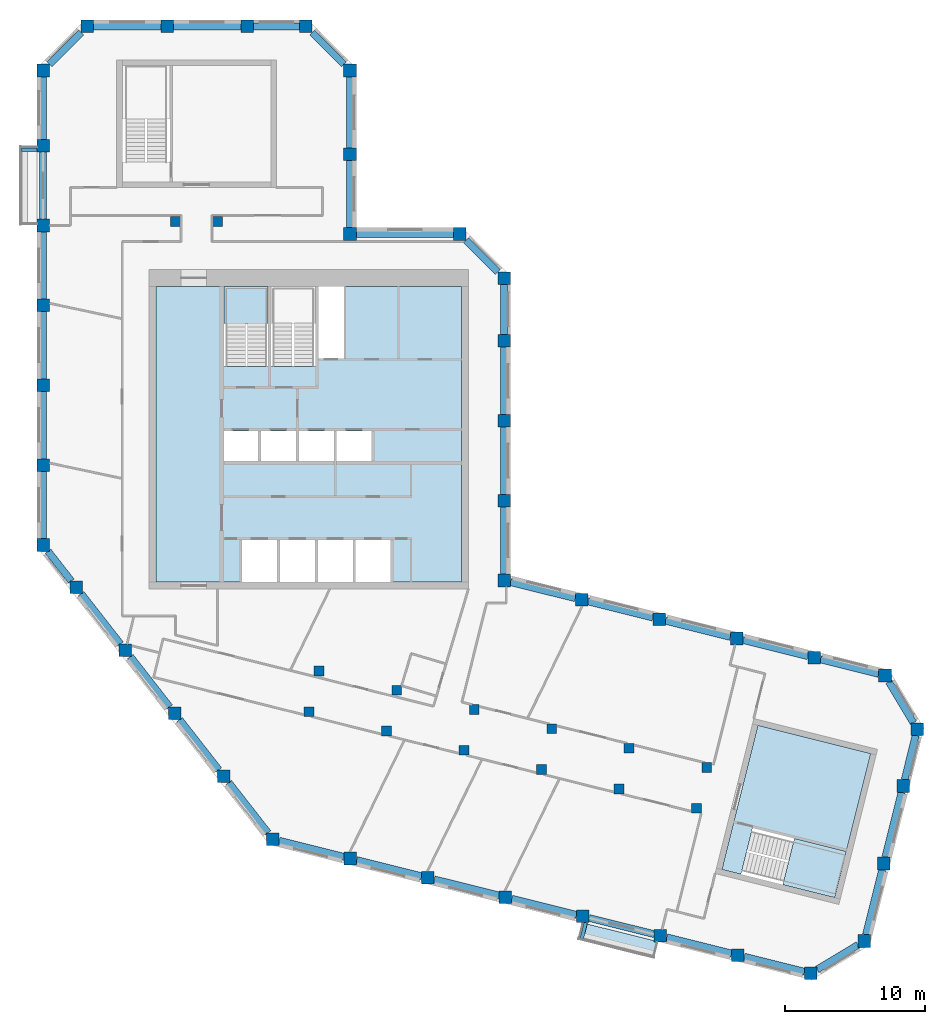
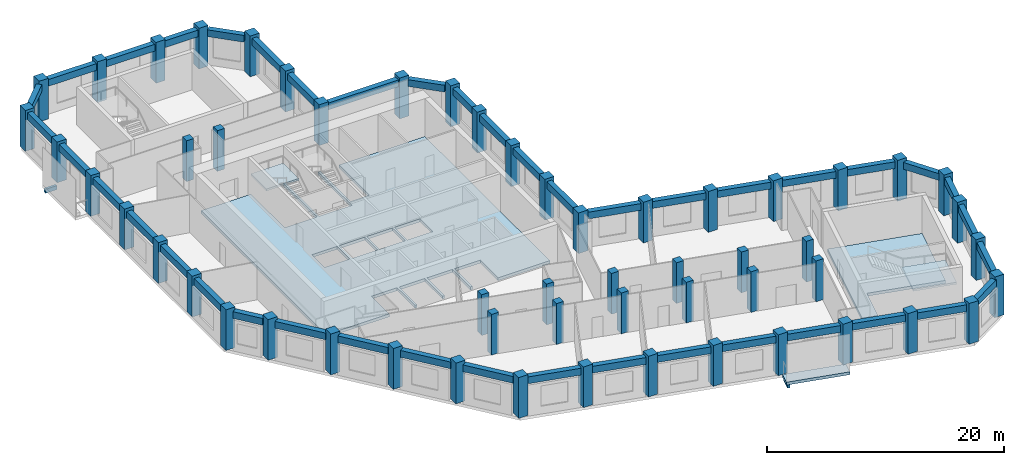
# One storey, part 1 of 8: 55 columns, 43 beams, 5 slabs, 2 elements without a shape of their own.
"""IFC4 building model written with IfcOpenShell, lengths in metres."""

from ifc_helpers import new_model, si_unit, direction, frame, origin, origin_2d, place, context, subcontext, project, spatial, polyline, rectangle, outline, extrude, material, layer, layer_set, material_profile, profile_set, type_object, element, aggregate, save


model = new_model("IFC4")

# Units and contexts
model_context = context("Model", 3, precision=1e-05, world=origin(), true_north=direction((0.0, 1.0)))
body_context = subcontext(model_context, "Body", "Model", "MODEL_VIEW")
ifc_project = project(units=[si_unit("LENGTHUNIT", "METRE"), si_unit("AREAUNIT", "SQUARE_METRE"), si_unit("VOLUMEUNIT", "CUBIC_METRE"), si_unit("PLANEANGLEUNIT", "RADIAN"), si_unit("MASSUNIT", "GRAM", prefix="KILO")], contexts=[model_context])

# Site, building, storey
site_placement = place(None, origin())
site = spatial("IfcSite", under=ifc_project, at=site_placement, CompositionType="ELEMENT")
building_placement = place(site_placement, origin())
building = spatial("IfcBuilding", under=site, at=building_placement, Name="Meshkara Civic Tower", CompositionType="ELEMENT")
storey_placement = place(building_placement, frame((0.0, 0.0, 366.60009765625)))
storey = spatial("IfcBuildingStorey", under=building, at=storey_placement, Name="L84", CompositionType="ELEMENT", Elevation=366.60009765625)

# Columns
ifc_material_1 = material(Name="Concrete C50", Category="concrete")
ifc_material_profile_1 = material_profile(ifc_material_1, rectangle(XDim=0.699951171875, YDim=0.699951171875, at=origin_2d()))
ifc_profile_set_1 = profile_set([ifc_material_profile_1], Name="Concrete C50")
column_type_1 = type_object("IfcColumnType", Name="Interior column RC 700x700 C50", PredefinedType="COLUMN", material=ifc_profile_set_1)
for number, where, z_axis, x_axis, name in (
    (1, (9.89990234375, 40.35009765625, 0.0), (0.0, 0.0, 1.0), (1.0, 0.0, 0.0), "Column SA1-04 L84"),
    (2, (12.89990234375, 40.35009765625, 0.0), (0.0, 0.0, 1.0), (1.0, 0.0, 0.0), "Column SA2-04 L84"),
    (3, (19.424072265625, 5.360107421875, 0.0), (0.0, 0.0, 1.0), (1.0, 0.0, 0.0), "Column SB1-00 L84"),
    (4, (24.9541015625, 3.98095703125, 0.0), (0.0, 0.0, 1.0), (1.0, 0.0, 0.0), "Column SB1-01 L84"),
    (5, (30.485107421875, 2.60205078125, 0.0), (0.0, 0.0, 1.0), (1.0, 0.0, 0.0), "Column SB1-02 L84"),
    (6, (36.01611328125, 1.222900390625, 0.0), (0.0, 0.0, 1.0), (1.0, 0.0, 0.0), "Column SB1-03 L84"),
    (7, (41.5458984375, -0.156005859375, 0.0), (0.0, 0.0, 1.0), (1.0, 0.0, 0.0), "Column SB1-04 L84"),
    (8, (47.076904296875, -1.534912109375, 0.0), (0.0, 0.0, 1.0), (1.0, 0.0, 0.0), "Column SB1-05 L84"),
    (9, (20.14892578125, 8.27099609375, 0.0), (0.0, 0.0, 1.0), (1.0, 0.0, 0.0), "Column SB2-00 L84"),
    (10, (25.679931640625, 6.89208984375, 0.0), (0.0, 0.0, 1.0), (1.0, 0.0, 0.0), "Column SB2-01 L84"),
    (11, (31.2109375, 5.512939453125, 0.0), (0.0, 0.0, 1.0), (1.0, 0.0, 0.0), "Column SB2-02 L84"),
    (12, (36.741943359375, 4.134033203125, 0.0), (0.0, 0.0, 1.0), (1.0, 0.0, 0.0), "Column SB2-03 L84"),
    (13, (42.27197265625, 2.7548828125, 0.0), (0.0, 0.0, 1.0), (1.0, 0.0, 0.0), "Column SB2-04 L84"),
    (14, (47.802978515625, 1.3759765625, 0.0), (0.0, 0.0, 1.0), (1.0, 0.0, 0.0), "Column SB2-05 L84"),
):
    element("IfcColumn", number, at=place(storey_placement, frame(where, z_axis=z_axis, x_axis=x_axis)), inside=storey, type_object=column_type_1, Name=name, PredefinedType="COLUMN", context=body_context, shape_type="SweptSolid", body=[
        extrude(rectangle(XDim=0.699951171875, YDim=0.699951171875, at=origin_2d()), origin(), (0.0, 0.0, 1.0), 4.199951171875),
    ])
ifc_material_2 = material(Name="Concrete C50", Category="concrete")
ifc_material_profile_2 = material_profile(ifc_material_2, rectangle(XDim=0.89990234375, YDim=0.89990234375, at=origin_2d()))
ifc_profile_set_2 = profile_set([ifc_material_profile_2], Name="Concrete C50")
column_type_2 = type_object("IfcColumnType", Name="Perimeter column RC 900x900 C50", PredefinedType="COLUMN", material=ifc_profile_set_2)
for number, where, z_axis, x_axis, name in (
    (15, (33.35009765625, 14.718994140625, 0.0), (0.0, 0.0, 1.0), (1.0, 0.0, 0.0), "Column HE00 L84"),
    (16, (33.35009765625, 20.4189453125, 0.0), (0.0, 0.0, 1.0), (1.0, 0.0, 0.0), "Column HE01 L84"),
    (17, (33.35009765625, 26.118896484375, 0.0), (0.0, 0.0, 1.0), (1.0, 0.0, 0.0), "Column HE02 L84"),
    (18, (33.35009765625, 31.819091796875, 0.0), (0.0, 0.0, 1.0), (1.0, 0.0, 0.0), "Column HE03 L84"),
    (19, (33.35009765625, 36.2939453125, 0.0), (0.0, 0.0, 1.0), (1.0, 0.0, 0.0), "Column HEE L84"),
    (20, (30.194091796875, 39.449951171875, 0.0), (0.0, 0.0, 1.0), (1.0, 0.0, 0.0), "Column HCeE L84"),
    (21, (22.35009765625, 39.449951171875, 0.0), (0.0, 0.0, 1.0), (1.0, 0.0, 0.0), "Column HN00 L84"),
    (22, (22.35009765625, 45.14990234375, 0.0), (0.0, 0.0, 1.0), (1.0, 0.0, 0.0), "Column AE01 L84"),
    (23, (22.35009765625, 51.114013671875, 0.0), (0.0, 0.0, 1.0), (1.0, 0.0, 0.0), "Column AEEP5 L84"),
    (24, (19.194091796875, 54.27001953125, 0.0), (0.0, 0.0, 1.0), (1.0, 0.0, 0.0), "Column ATiEP5 L84"),
    (25, (3.60595703125, 54.27001953125, 0.0), (0.0, 0.0, 1.0), (1.0, 0.0, 0.0), "Column AT00-P5 L84"),
    (26, (9.305908203125, 54.27001953125, 0.0), (0.0, 0.0, 1.0), (1.0, 0.0, 0.0), "Column AT01-P5 L84"),
    (27, (15.006103515625, 54.27001953125, 0.0), (0.0, 0.0, 1.0), (1.0, 0.0, 0.0), "Column AT02-P5 L84"),
    (28, (0.449951171875, 51.114013671875, 0.0), (0.0, 0.0, 1.0), (1.0, 0.0, 0.0), "Column ATo00-P5 L84"),
    (29, (0.449951171875, 17.2548828125, 0.0), (0.0, 0.0, 1.0), (1.0, 0.0, 0.0), "Column AW00 L84"),
    (30, (0.449951171875, 22.955078125, 0.0), (0.0, 0.0, 1.0), (1.0, 0.0, 0.0), "Column AW01 L84"),
    (31, (0.449951171875, 28.655029296875, 0.0), (0.0, 0.0, 1.0), (1.0, 0.0, 0.0), "Column AW02 L84"),
    (32, (0.449951171875, 34.35498046875, 0.0), (0.0, 0.0, 1.0), (1.0, 0.0, 0.0), "Column AW03 L84"),
    (33, (0.449951171875, 40.054931640625, 0.0), (0.0, 0.0, 1.0), (1.0, 0.0, 0.0), "Column AW04 L84"),
    (34, (0.449951171875, 45.7548828125, 0.0), (0.0, 0.0, 1.0), (1.0, 0.0, 0.0), "Column AW05 L84"),
    (35, (16.85107421875, -3.738037109375, 0.0), (0.0, 0.0, 1.0), (1.0, 0.0, 0.0), "Column BOW00 L84"),
    (36, (13.342041015625, 0.75390625, 0.0), (0.0, 0.0, 1.0), (1.0, 0.0, 0.0), "Column BOW01 L84"),
    (37, (9.8330078125, 5.2451171875, 0.0), (0.0, 0.0, 1.0), (1.0, 0.0, 0.0), "Column BOW02 L84"),
    (38, (6.322998046875, 9.737060546875, 0.0), (0.0, 0.0, 1.0), (1.0, 0.0, 0.0), "Column BOW03 L84"),
    (39, (2.81396484375, 14.22900390625, 0.0), (0.0, 0.0, 1.0), (1.0, 0.0, 0.0), "Column BOW04 L84"),
    (40, (22.382080078125, -5.116943359375, 0.0), (0.0, 0.0, 1.0), (1.0, 0.0, 0.0), "Column BS01 L84"),
    (41, (27.912109375, -6.49609375, 0.0), (0.0, 0.0, 1.0), (1.0, 0.0, 0.0), "Column BS02 L84"),
    (42, (33.443115234375, -7.875, 0.0), (0.0, 0.0, 1.0), (1.0, 0.0, 0.0), "Column BS03 L84"),
    (43, (38.97412109375, -9.25390625, 0.0), (0.0, 0.0, 1.0), (1.0, 0.0, 0.0), "Column BS04 L84"),
    (44, (44.50390625, -10.633056640625, 0.0), (0.0, 0.0, 1.0), (1.0, 0.0, 0.0), "Column BS05-P4 L84"),
    (45, (50.034912109375, -12.011962890625, 0.0), (0.0, 0.0, 1.0), (1.0, 0.0, 0.0), "Column BS06-P4 L84"),
    (46, (55.235107421875, -13.30810546875, 0.0), (0.0, 0.0, 1.0), (1.0, 0.0, 0.0), "Column BSEP5 L84"),
    (47, (59.06103515625, -11.009033203125, 0.0), (0.0, 0.0, 1.0), (1.0, 0.0, 0.0), "Column BToEP5 L84"),
    (48, (60.43994140625, -5.47802734375, 0.0), (0.0, 0.0, 1.0), (1.0, 0.0, 0.0), "Column BT01-P5 L84"),
    (49, (61.819091796875, 0.052001953125, 0.0), (0.0, 0.0, 1.0), (1.0, 0.0, 0.0), "Column BT02-P5 L84"),
    (50, (62.83203125, 4.114990234375, 0.0), (0.0, 0.0, 1.0), (1.0, 0.0, 0.0), "Column BTEP5 L84"),
    (51, (60.532958984375, 7.94091796875, 0.0), (0.0, 0.0, 1.0), (1.0, 0.0, 0.0), "Column BTi00-P5 L84"),
    (52, (38.881103515625, 13.340087890625, 0.0), (0.0, 0.0, 1.0), (1.0, 0.0, 0.0), "Column BN01 L84"),
    (53, (44.410888671875, 11.9609375, 0.0), (0.0, 0.0, 1.0), (1.0, 0.0, 0.0), "Column BN02 L84"),
    (54, (49.94189453125, 10.58203125, 0.0), (0.0, 0.0, 1.0), (1.0, 0.0, 0.0), "Column BN03 L84"),
    (55, (55.472900390625, 9.202880859375, 0.0), (0.0, 0.0, 1.0), (1.0, 0.0, 0.0), "Column BN04 L84"),
):
    element("IfcColumn", number, at=place(storey_placement, frame(where, z_axis=z_axis, x_axis=x_axis)), inside=storey, type_object=column_type_2, Name=name, PredefinedType="COLUMN", context=body_context, shape_type="SweptSolid", body=[
        extrude(rectangle(XDim=0.89990234375, YDim=0.89990234375, at=origin_2d()), origin(), (0.0, 0.0, 1.0), 4.199951171875),
    ])

# Beams
ifc_material_3 = material(Name="Concrete C50", Category="concrete")
ifc_material_profile_3 = material_profile(ifc_material_3, rectangle(XDim=0.25, YDim=0.39990234375, at=origin_2d()))
ifc_profile_set_3 = profile_set([ifc_material_profile_3], Name="Concrete C50")
beam_type_1 = type_object("IfcBeamType", Name="Balcony bracket beam RC 250x400 C50", PredefinedType="BEAM", material=ifc_profile_set_3)
beam_1_placement = place(storey_placement, frame((0.0048828125, 45.455078125, -0.5), z_axis=(-1.0, 0.0, 0.0), x_axis=(0.0, -1.0, 0.0)))
element("IfcBeam", 56, at=beam_1_placement, inside=storey, type_object=beam_type_1, Name="Balcony bracket beam", PredefinedType="BEAM", context=body_context, shape_type="SweptSolid", body=[
    extrude(rectangle(XDim=0.25, YDim=0.39990234375, at=origin_2d()), origin(), (0.0, 0.0, 1.0), 1.10498046875),
])
beam_2_placement = place(storey_placement, frame((39.172119140625, -9.698974609375, -0.5), z_axis=(-0.24209211729, -0.970253269382, 0.0), x_axis=(0.970253269382, -0.24209211729, 0.0)))
element("IfcBeam", 57, at=beam_2_placement, inside=storey, type_object=beam_type_1, Name="Balcony bracket beam", PredefinedType="BEAM", context=body_context, shape_type="SweptSolid", body=[
    extrude(rectangle(XDim=0.25, YDim=0.39990234375, at=origin_2d()), origin(), (0.0, 0.0, 1.0), 1.165771484375),
])
ifc_material_4 = material(Name="Concrete C50", Category="concrete")
ifc_material_profile_4 = material_profile(ifc_material_4, rectangle(XDim=0.5, YDim=0.699951171875, at=origin_2d()))
ifc_profile_set_4 = profile_set([ifc_material_profile_4], Name="Concrete C50")
beam_type_2 = type_object("IfcBeamType", Name="Spandrel beam RC 500x700 C50", PredefinedType="BEAM", material=ifc_profile_set_4)
for number, where, z_axis, x_axis, name in (
    (58, (55.02783203125, 9.31396484375, 3.5498046875), (-0.970298442389, 0.241911001604, 0.0), (-0.241911001604, -0.970298442389, 0.0), "Spandrel beam BN03-BN04"),
    (59, (49.496826171875, 10.693115234375, 3.5498046875), (-0.970298442389, 0.241911001604, 0.0), (-0.241911001604, -0.970298442389, 0.0), "Spandrel beam BN02-BN03"),
):
    element("IfcBeam", number, at=place(storey_placement, frame(where, z_axis=z_axis, x_axis=x_axis)), inside=storey, type_object=beam_type_2, Name=name, PredefinedType="BEAM", context=body_context, shape_type="SweptSolid", body=[
        extrude(rectangle(XDim=0.5, YDim=0.699951171875, at=origin_2d()), origin(), (0.0, 0.0, 1.0), 4.78271484375),
    ])
beam_3_placement = place(storey_placement, frame((43.9658203125, 12.072021484375, 3.5498046875), z_axis=(-0.970286489601, 0.241958938867, 0.0), x_axis=(-0.241958938867, -0.970286489601, 0.0)))
element("IfcBeam", 60, at=beam_3_placement, inside=storey, type_object=beam_type_2, Name="Spandrel beam BN01-BN02", PredefinedType="BEAM", context=body_context, shape_type="SweptSolid", body=[
    extrude(rectangle(XDim=0.5, YDim=0.699951171875, at=origin_2d()), origin(), (0.0, 0.0, 1.0), 4.78173828125),
])
beam_4_placement = place(storey_placement, frame((38.435791015625, 13.450927734375, 3.5498046875), z_axis=(-0.970298442389, 0.241911001604, 0.0), x_axis=(-0.241911001604, -0.970298442389, 0.0)))
element("IfcBeam", 61, at=beam_4_placement, inside=storey, type_object=beam_type_2, Name="Spandrel beam BN01-HE00", PredefinedType="BEAM", context=body_context, shape_type="SweptSolid", body=[
    extrude(rectangle(XDim=0.5, YDim=0.699951171875, at=origin_2d()), origin(), (0.0, 0.0, 1.0), 4.78271484375),
])
for number, where, z_axis, x_axis, name in (
    (62, (33.35009765625, 15.1640625, 3.5498046875), (0.0, 1.0, 0.0), (-1.0, 0.0, 0.0), "Spandrel beam HE00-HE01"),
    (63, (33.35009765625, 20.864013671875, 3.5498046875), (0.0, 1.0, 0.0), (-1.0, 0.0, 0.0), "Spandrel beam HE01-HE02"),
    (64, (33.35009765625, 26.56396484375, 3.5498046875), (0.0, 1.0, 0.0), (-1.0, 0.0, 0.0), "Spandrel beam HE02-HE03"),
):
    element("IfcBeam", number, at=place(storey_placement, frame(where, z_axis=z_axis, x_axis=x_axis)), inside=storey, type_object=beam_type_2, Name=name, PredefinedType="BEAM", context=body_context, shape_type="SweptSolid", body=[
        extrude(rectangle(XDim=0.5, YDim=0.699951171875, at=origin_2d()), origin(), (0.0, 0.0, 1.0), 4.81005859375),
    ])
beam_5_placement = place(storey_placement, frame((33.35009765625, 32.263916015625, 3.5498046875), z_axis=(0.0, 1.0, 0.0), x_axis=(-1.0, 0.0, 0.0)))
element("IfcBeam", 65, at=beam_5_placement, inside=storey, type_object=beam_type_2, Name="Spandrel beam HE03-HEE", PredefinedType="BEAM", context=body_context, shape_type="SweptSolid", body=[
    extrude(rectangle(XDim=0.5, YDim=0.699951171875, at=origin_2d()), origin(), (0.0, 0.0, 1.0), 3.585205078125),
])
beam_6_placement = place(storey_placement, frame((32.903564453125, 36.740478515625, 3.5498046875), z_axis=(-0.707144921739, 0.707068638576, 0.0), x_axis=(-0.707068638576, -0.707144921739, 0.0)))
element("IfcBeam", 66, at=beam_6_placement, inside=storey, type_object=beam_type_2, Name="Spandrel beam HCeE-HEE", PredefinedType="BEAM", context=body_context, shape_type="SweptSolid", body=[
    extrude(rectangle(XDim=0.5, YDim=0.699951171875, at=origin_2d()), origin(), (0.0, 0.0, 1.0), 3.200439453125),
])
beam_7_placement = place(storey_placement, frame((29.7490234375, 39.449951171875, 3.5498046875), z_axis=(-1.0, 0.0, 0.0), x_axis=(0.0, -1.0, 0.0)))
element("IfcBeam", 67, at=beam_7_placement, inside=storey, type_object=beam_type_2, Name="Spandrel beam HCeE-HN00", PredefinedType="BEAM", context=body_context, shape_type="SweptSolid", body=[
    extrude(rectangle(XDim=0.5, YDim=0.699951171875, at=origin_2d()), origin(), (0.0, 0.0, 1.0), 6.9541015625),
])
beam_8_placement = place(storey_placement, frame((22.35009765625, 39.89501953125, 3.5498046875), z_axis=(0.0, 1.0, 0.0), x_axis=(-1.0, 0.0, 0.0)))
element("IfcBeam", 68, at=beam_8_placement, inside=storey, type_object=beam_type_2, Name="Spandrel beam AE01-HN00", PredefinedType="BEAM", context=body_context, shape_type="SweptSolid", body=[
    extrude(rectangle(XDim=0.5, YDim=0.699951171875, at=origin_2d()), origin(), (0.0, 0.0, 1.0), 4.81005859375),
])
beam_9_placement = place(storey_placement, frame((22.35009765625, 45.594970703125, 3.5498046875), z_axis=(0.0, 1.0, 0.0), x_axis=(-1.0, 0.0, 0.0)))
element("IfcBeam", 69, at=beam_9_placement, inside=storey, type_object=beam_type_2, Name="Spandrel beam AE01-AEEP5", PredefinedType="BEAM", context=body_context, shape_type="SweptSolid", body=[
    extrude(rectangle(XDim=0.5, YDim=0.699951171875, at=origin_2d()), origin(), (0.0, 0.0, 1.0), 5.073974609375),
])
beam_10_placement = place(storey_placement, frame((21.903564453125, 51.560546875, 3.5498046875), z_axis=(-0.707144921739, 0.707068638576, 0.0), x_axis=(-0.707068638576, -0.707144921739, 0.0)))
element("IfcBeam", 70, at=beam_10_placement, inside=storey, type_object=beam_type_2, Name="Spandrel beam AEEP5-ATiEP5", PredefinedType="BEAM", context=body_context, shape_type="SweptSolid", body=[
    extrude(rectangle(XDim=0.5, YDim=0.699951171875, at=origin_2d()), origin(), (0.0, 0.0, 1.0), 3.200439453125),
])
beam_11_placement = place(storey_placement, frame((18.7490234375, 54.27001953125, 3.5498046875), z_axis=(-1.0, 0.0, 0.0), x_axis=(0.0, -1.0, 0.0)))
element("IfcBeam", 71, at=beam_11_placement, inside=storey, type_object=beam_type_2, Name="Spandrel beam AT02-P5-ATiEP5", PredefinedType="BEAM", context=body_context, shape_type="SweptSolid", body=[
    extrude(rectangle(XDim=0.5, YDim=0.699951171875, at=origin_2d()), origin(), (0.0, 0.0, 1.0), 3.298095703125),
])
for number, where, z_axis, x_axis, name in (
    (72, (14.56103515625, 54.27001953125, 3.5498046875), (-1.0, 0.0, 0.0), (0.0, -1.0, 0.0), "Spandrel beam AT01-P5-AT02-P5"),
    (73, (8.861083984375, 54.27001953125, 3.5498046875), (-1.0, 0.0, 0.0), (0.0, -1.0, 0.0), "Spandrel beam AT00-P5-AT01-P5"),
):
    element("IfcBeam", number, at=place(storey_placement, frame(where, z_axis=z_axis, x_axis=x_axis)), inside=storey, type_object=beam_type_2, Name=name, PredefinedType="BEAM", context=body_context, shape_type="SweptSolid", body=[
        extrude(rectangle(XDim=0.5, YDim=0.699951171875, at=origin_2d()), origin(), (0.0, 0.0, 1.0), 4.81005859375),
    ])
beam_12_placement = place(storey_placement, frame((3.159423828125, 53.823486328125, 3.5498046875), z_axis=(-0.707106781187, -0.707106781187, 0.0), x_axis=(0.707106781187, -0.707106781187, 0.0)))
element("IfcBeam", 74, at=beam_12_placement, inside=storey, type_object=beam_type_2, Name="Spandrel beam AT00-P5-ATo00-P5", PredefinedType="BEAM", context=body_context, shape_type="SweptSolid", body=[
    extrude(rectangle(XDim=0.5, YDim=0.699951171875, at=origin_2d()), origin(), (0.0, 0.0, 1.0), 3.2001953125),
])
beam_13_placement = place(storey_placement, frame((0.449951171875, 50.6689453125, 3.5498046875), z_axis=(0.0, -1.0, 0.0), x_axis=(1.0, 0.0, 0.0)))
element("IfcBeam", 75, at=beam_13_placement, inside=storey, type_object=beam_type_2, Name="Spandrel beam ATo00-P5-AW05", PredefinedType="BEAM", context=body_context, shape_type="SweptSolid", body=[
    extrude(rectangle(XDim=0.5, YDim=0.699951171875, at=origin_2d()), origin(), (0.0, 0.0, 1.0), 4.468994140625),
])
for number, where, z_axis, x_axis, name in (
    (76, (0.449951171875, 45.31005859375, 3.5498046875), (0.0, -1.0, 0.0), (1.0, 0.0, 0.0), "Spandrel beam AW04-AW05"),
    (77, (0.449951171875, 39.610107421875, 3.5498046875), (0.0, -1.0, 0.0), (1.0, 0.0, 0.0), "Spandrel beam AW03-AW04"),
):
    element("IfcBeam", number, at=place(storey_placement, frame(where, z_axis=z_axis, x_axis=x_axis)), inside=storey, type_object=beam_type_2, Name=name, PredefinedType="BEAM", context=body_context, shape_type="SweptSolid", body=[
        extrude(rectangle(XDim=0.5, YDim=0.699951171875, at=origin_2d()), origin(), (0.0, 0.0, 1.0), 4.81005859375),
    ])
beam_14_placement = place(storey_placement, frame((0.449951171875, 33.909912109375, 3.5498046875), z_axis=(0.0, -1.0, 0.0), x_axis=(1.0, 0.0, 0.0)))
element("IfcBeam", 78, at=beam_14_placement, inside=storey, type_object=beam_type_2, Name="Spandrel beam AW02-AW03", PredefinedType="BEAM", context=body_context, shape_type="SweptSolid", body=[
    extrude(rectangle(XDim=0.5, YDim=0.699951171875, at=origin_2d()), origin(), (0.0, 0.0, 1.0), 4.809814453125),
])
for number, where, z_axis, x_axis, name in (
    (79, (0.449951171875, 28.2099609375, 3.5498046875), (0.0, -1.0, 0.0), (1.0, 0.0, 0.0), "Spandrel beam AW01-AW02"),
    (80, (0.449951171875, 22.510009765625, 3.5498046875), (0.0, -1.0, 0.0), (1.0, 0.0, 0.0), "Spandrel beam AW00-AW01"),
):
    element("IfcBeam", number, at=place(storey_placement, frame(where, z_axis=z_axis, x_axis=x_axis)), inside=storey, type_object=beam_type_2, Name=name, PredefinedType="BEAM", context=body_context, shape_type="SweptSolid", body=[
        extrude(rectangle(XDim=0.5, YDim=0.699951171875, at=origin_2d()), origin(), (0.0, 0.0, 1.0), 4.81005859375),
    ])
beam_15_placement = place(storey_placement, frame((0.798583984375, 16.808837890625, 3.5498046875), z_axis=(0.615637043197, -0.788029841468, 0.0), x_axis=(0.788029841468, 0.615637043197, 0.0)))
element("IfcBeam", 81, at=beam_15_placement, inside=storey, type_object=beam_type_2, Name="Spandrel beam AW00-BOW04", PredefinedType="BEAM", context=body_context, shape_type="SweptSolid", body=[
    extrude(rectangle(XDim=0.5, YDim=0.699951171875, at=origin_2d()), origin(), (0.0, 0.0, 1.0), 2.707763671875),
])
beam_16_placement = place(storey_placement, frame((3.162353515625, 13.782958984375, 3.5498046875), z_axis=(0.615626410665, -0.788038147865, 0.0), x_axis=(0.788038147865, 0.615626410665, 0.0)))
element("IfcBeam", 82, at=beam_16_placement, inside=storey, type_object=beam_type_2, Name="Spandrel beam BOW03-BOW04", PredefinedType="BEAM", context=body_context, shape_type="SweptSolid", body=[
    extrude(rectangle(XDim=0.5, YDim=0.699951171875, at=origin_2d()), origin(), (0.0, 0.0, 1.0), 4.568115234375),
])
beam_17_placement = place(storey_placement, frame((6.67138671875, 9.291015625, 3.5498046875), z_axis=(0.615759141311, -0.787934438829, 0.0), x_axis=(0.787934438829, 0.615759141311, 0.0)))
element("IfcBeam", 83, at=beam_17_placement, inside=storey, type_object=beam_type_2, Name="Spandrel beam BOW02-BOW03", PredefinedType="BEAM", context=body_context, shape_type="SweptSolid", body=[
    extrude(rectangle(XDim=0.5, YDim=0.699951171875, at=origin_2d()), origin(), (0.0, 0.0, 1.0), 4.568603515625),
])
beam_18_placement = place(storey_placement, frame((10.181396484375, 4.798828125, 3.5498046875), z_axis=(0.615722879711, -0.78796277539, 0.0), x_axis=(0.78796277539, 0.615722879711, 0.0)))
element("IfcBeam", 84, at=beam_18_placement, inside=storey, type_object=beam_type_2, Name="Spandrel beam BOW01-BOW02", PredefinedType="BEAM", context=body_context, shape_type="SweptSolid", body=[
    extrude(rectangle(XDim=0.5, YDim=0.699951171875, at=origin_2d()), origin(), (0.0, 0.0, 1.0), 4.56689453125),
])
beam_19_placement = place(storey_placement, frame((13.6904296875, 0.307861328125, 3.5498046875), z_axis=(0.615626410665, -0.788038147865, 0.0), x_axis=(0.788038147865, 0.615626410665, 0.0)))
element("IfcBeam", 85, at=beam_19_placement, inside=storey, type_object=beam_type_2, Name="Spandrel beam BOW00-BOW01", PredefinedType="BEAM", context=body_context, shape_type="SweptSolid", body=[
    extrude(rectangle(XDim=0.5, YDim=0.699951171875, at=origin_2d()), origin(), (0.0, 0.0, 1.0), 4.568115234375),
])
beam_20_placement = place(storey_placement, frame((17.296142578125, -3.84912109375, 3.5498046875), z_axis=(0.970301429476, -0.241899020164, 0.0), x_axis=(0.241899020164, 0.970301429476, 0.0)))
element("IfcBeam", 86, at=beam_20_placement, inside=storey, type_object=beam_type_2, Name="Spandrel beam BOW00-BS01", PredefinedType="BEAM", context=body_context, shape_type="SweptSolid", body=[
    extrude(rectangle(XDim=0.5, YDim=0.699951171875, at=origin_2d()), origin(), (0.0, 0.0, 1.0), 4.782958984375),
])
beam_21_placement = place(storey_placement, frame((22.8271484375, -5.22802734375, 3.5498046875), z_axis=(0.970286489601, -0.241958938867, 0.0), x_axis=(0.241958938867, 0.970286489601, 0.0)))
element("IfcBeam", 87, at=beam_21_placement, inside=storey, type_object=beam_type_2, Name="Spandrel beam BS01-BS02", PredefinedType="BEAM", context=body_context, shape_type="SweptSolid", body=[
    extrude(rectangle(XDim=0.5, YDim=0.699951171875, at=origin_2d()), origin(), (0.0, 0.0, 1.0), 4.78173828125),
])
for number, where, z_axis, x_axis, name in (
    (88, (28.357177734375, -6.60693359375, 3.5498046875), (0.970298442389, -0.241911001604, 0.0), (0.241911001604, 0.970298442389, 0.0), "Spandrel beam BS02-BS03"),
    (89, (33.88818359375, -7.986083984375, 3.5498046875), (0.970298442389, -0.241911001604, 0.0), (0.241911001604, 0.970298442389, 0.0), "Spandrel beam BS03-BS04"),
):
    element("IfcBeam", number, at=place(storey_placement, frame(where, z_axis=z_axis, x_axis=x_axis)), inside=storey, type_object=beam_type_2, Name=name, PredefinedType="BEAM", context=body_context, shape_type="SweptSolid", body=[
        extrude(rectangle(XDim=0.5, YDim=0.699951171875, at=origin_2d()), origin(), (0.0, 0.0, 1.0), 4.78271484375),
    ])
beam_22_placement = place(storey_placement, frame((39.419189453125, -9.364990234375, 3.5498046875), z_axis=(0.970286489601, -0.241958938867, 0.0), x_axis=(0.241958938867, 0.970286489601, 0.0)))
element("IfcBeam", 90, at=beam_22_placement, inside=storey, type_object=beam_type_2, Name="Spandrel beam BS04-BS05-P4", PredefinedType="BEAM", context=body_context, shape_type="SweptSolid", body=[
    extrude(rectangle(XDim=0.5, YDim=0.699951171875, at=origin_2d()), origin(), (0.0, 0.0, 1.0), 4.78173828125),
])
beam_23_placement = place(storey_placement, frame((44.94921875, -10.743896484375, 3.5498046875), z_axis=(0.970298442389, -0.241911001604, 0.0), x_axis=(0.241911001604, 0.970298442389, 0.0)))
element("IfcBeam", 91, at=beam_23_placement, inside=storey, type_object=beam_type_2, Name="Spandrel beam BS05-P4-BS06-P4", PredefinedType="BEAM", context=body_context, shape_type="SweptSolid", body=[
    extrude(rectangle(XDim=0.5, YDim=0.699951171875, at=origin_2d()), origin(), (0.0, 0.0, 1.0), 4.78271484375),
])
beam_24_placement = place(storey_placement, frame((50.47998046875, -12.122802734375, 3.5498046875), z_axis=(0.97031362237, -0.241850106975, 0.0), x_axis=(0.241850106975, 0.97031362237, 0.0)))
element("IfcBeam", 92, at=beam_24_placement, inside=storey, type_object=beam_type_2, Name="Spandrel beam BS06-P4-BSEP5", PredefinedType="BEAM", context=body_context, shape_type="SweptSolid", body=[
    extrude(rectangle(XDim=0.5, YDim=0.699951171875, at=origin_2d()), origin(), (0.0, 0.0, 1.0), 4.441650390625),
])
beam_25_placement = place(storey_placement, frame((55.6806640625, -13.040283203125, 3.5498046875), z_axis=(0.857146668312, 0.515072411416, 0.0), x_axis=(-0.515072411416, 0.857146668312, 0.0)))
element("IfcBeam", 93, at=beam_25_placement, inside=storey, type_object=beam_type_2, Name="Spandrel beam BSEP5-BToEP5", PredefinedType="BEAM", context=body_context, shape_type="SweptSolid", body=[
    extrude(rectangle(XDim=0.5, YDim=0.699951171875, at=origin_2d()), origin(), (0.0, 0.0, 1.0), 3.423583984375),
])
beam_26_placement = place(storey_placement, frame((59.172119140625, -10.56396484375, 3.5498046875), z_axis=(0.241899020164, 0.970301429476, 0.0), x_axis=(-0.970301429476, 0.241899020164, 0.0)))
element("IfcBeam", 94, at=beam_26_placement, inside=storey, type_object=beam_type_2, Name="Spandrel beam BT01-P5-BToEP5", PredefinedType="BEAM", context=body_context, shape_type="SweptSolid", body=[
    extrude(rectangle(XDim=0.5, YDim=0.699951171875, at=origin_2d()), origin(), (0.0, 0.0, 1.0), 4.782958984375),
])
beam_27_placement = place(storey_placement, frame((60.551025390625, -5.032958984375, 3.5498046875), z_axis=(0.241946952825, 0.970289478464, 0.0), x_axis=(-0.970289478464, 0.241946952825, 0.0)))
element("IfcBeam", 95, at=beam_27_placement, inside=storey, type_object=beam_type_2, Name="Spandrel beam BT01-P5-BT02-P5", PredefinedType="BEAM", context=body_context, shape_type="SweptSolid", body=[
    extrude(rectangle(XDim=0.5, YDim=0.699951171875, at=origin_2d()), origin(), (0.0, 0.0, 1.0), 4.781982421875),
])
beam_28_placement = place(storey_placement, frame((61.929931640625, 0.4970703125, 3.5498046875), z_axis=(0.241903146974, 0.970300400641, 0.0), x_axis=(-0.970300400641, 0.241903146974, 0.0)))
element("IfcBeam", 96, at=beam_28_placement, inside=storey, type_object=beam_type_2, Name="Spandrel beam BT02-P5-BTEP5", PredefinedType="BEAM", context=body_context, shape_type="SweptSolid", body=[
    extrude(rectangle(XDim=0.5, YDim=0.699951171875, at=origin_2d()), origin(), (0.0, 0.0, 1.0), 3.27001953125),
])
beam_29_placement = place(storey_placement, frame((62.564208984375, 4.560791015625, 3.5498046875), z_axis=(-0.515072411416, 0.857146668312, 0.0), x_axis=(-0.857146668312, -0.515072411416, 0.0)))
element("IfcBeam", 97, at=beam_29_placement, inside=storey, type_object=beam_type_2, Name="Spandrel beam BTEP5-BTi00-P5", PredefinedType="BEAM", context=body_context, shape_type="SweptSolid", body=[
    extrude(rectangle(XDim=0.5, YDim=0.699951171875, at=origin_2d()), origin(), (0.0, 0.0, 1.0), 3.423583984375),
])
beam_30_placement = place(storey_placement, frame((60.087890625, 8.052001953125, 3.5498046875), z_axis=(-0.970272690872, 0.242014266826, 0.0), x_axis=(-0.242014266826, -0.970272690872, 0.0)))
element("IfcBeam", 98, at=beam_30_placement, inside=storey, type_object=beam_type_2, Name="Spandrel beam BN04-BTi00-P5", PredefinedType="BEAM", context=body_context, shape_type="SweptSolid", body=[
    extrude(rectangle(XDim=0.5, YDim=0.699951171875, at=origin_2d()), origin(), (0.0, 0.0, 1.0), 4.29736328125),
])

# Slabs
ifc_material_5 = material(Name="Concrete C40", Category="concrete")
ifc_layer_1 = layer(ifc_material_5, 0.300048828125)
ifc_layer_set_1 = layer_set([ifc_layer_1], Name="BALCONY SLAB")
slab_type_1 = type_object("IfcSlabType", Name="BALCONY SLAB", PredefinedType="FLOOR", material=ifc_layer_set_1)
slab_1_placement = place(storey_placement, frame((0.0, 0.0, -0.300048828125)))
element("IfcSlab", 99, at=slab_1_placement, inside=storey, type_object=slab_type_1, Name="Balcony slab", PredefinedType="FLOOR", context=body_context, shape_type="SweptSolid", body=[
    extrude(outline(polyline([(44.047119140625, -12.218994140625), (38.633056640625, -10.868896484375), (38.923095703125, -9.705078125), (44.053955078125, -10.98388671875), (44.053955078125, -11.0830078125), (44.330078125, -11.0830078125), (44.047119140625, -12.218994140625)])), origin(), (0.0, 0.0, 1.0), 0.300048828125),
])
ifc_material_6 = material(Name="Concrete C40/50", Category="concrete")
ifc_layer_2 = layer(ifc_material_6, 0.300048828125)
ifc_layer_set_2 = layer_set([ifc_layer_2], Name="Core floor slab 300 C40/50")
slab_type_2 = type_object("IfcSlabType", Name="Core floor slab 300 C40/50", PredefinedType="FLOOR", material=ifc_layer_set_2)
slab_2_placement = place(storey_placement, frame((0.0, 0.0, -0.300048828125)))
element("IfcSlab", 100, at=slab_2_placement, inside=storey, type_object=slab_type_2, Name="Core floor K", PredefinedType="FLOOR", context=body_context, shape_type="SweptSolid", body=[
    extrude(outline(polyline([(8.5, 35.699951171875), (13.35009765625, 35.699951171875), (13.35009765625, 30.00146484375), (16.5, 30.00146484375), (16.5, 35.699951171875), (16.699951171875, 35.699951171875), (16.699951171875, 30.00146484375), (19.89990234375, 30.00146484375), (19.89990234375, 35.699951171875), (20.10009765625, 35.699951171875), (20.10009765625, 30.574951171875), (21.925048828125, 30.574951171875), (21.925048828125, 35.699951171875), (30.300048828125, 35.699951171875), (30.300048828125, 14.60009765625), (25.25, 14.60009765625), (25.25, 17.60009765625), (22.75, 17.60009765625), (22.75, 14.60009765625), (22.550048828125, 14.60009765625), (22.550048828125, 17.60009765625), (20.050048828125, 17.60009765625), (20.050048828125, 14.60009765625), (19.85009765625, 14.60009765625), (19.85009765625, 17.60009765625), (17.35009765625, 17.60009765625), (17.35009765625, 14.60009765625), (17.14990234375, 14.60009765625), (17.14990234375, 17.60009765625), (14.64990234375, 17.60009765625), (14.64990234375, 14.60009765625), (8.5, 14.60009765625), (8.5, 35.699951171875)]), holes=[polyline([(13.35009765625, 23.25), (15.800048828125, 23.25), (15.800048828125, 25.39990234375), (13.35009765625, 25.39990234375), (13.35009765625, 23.25)]), polyline([(18.5, 23.25), (18.5, 25.39990234375), (16.0, 25.39990234375), (16.0, 23.25), (18.5, 23.25)]), polyline([(18.699951171875, 23.25), (21.199951171875, 23.25), (21.199951171875, 25.39990234375), (18.699951171875, 25.39990234375), (18.699951171875, 23.25)]), polyline([(21.39990234375, 23.25), (23.89990234375, 23.25), (23.89990234375, 25.39990234375), (21.39990234375, 25.39990234375), (21.39990234375, 23.25)])]), origin(), (0.0, 0.0, 1.0), 0.300048828125),
])
slab_3_placement = place(storey_placement, frame((0.0, 0.0, -0.300048828125)))
element("IfcSlab", 101, at=slab_3_placement, inside=storey, type_object=slab_type_2, Name="Core floor EB", PredefinedType="FLOOR", context=body_context, shape_type="SweptSolid", body=[
    extrude(outline(polyline([(51.45849609375, 4.381103515625), (59.511962890625, 2.373291015625), (57.77001953125, -4.61279296875), (51.076416015625, -2.944091796875), (50.25390625, -6.242919921875), (48.89404296875, -5.90380859375), (51.45849609375, 4.381103515625)])), origin(), (0.0, 0.0, 1.0), 0.300048828125),
])

# Stair, slab
ifc_material_7 = material(Name="Precast concrete C40/50", Category="concrete")
stair_type = type_object("IfcStairType", Name="Exit stair half-turn 24 risers precast", PredefinedType="HALF_TURN_STAIR", material=ifc_material_7)
stair_1_placement = place(storey_placement, origin())
stair_1 = element("IfcStair", 102, at=stair_1_placement, inside=storey, type_object=stair_type, Name="L84 exit stair 1", PredefinedType="HALF_TURN_STAIR")
ifc_material_8 = material(Name="Precast concrete C40/50", Category="concrete")
ifc_layer_3 = layer(ifc_material_8, 0.199951171875)
ifc_layer_set_3 = layer_set([ifc_layer_3], Name="Exit stair landing 200")
slab_type_3 = type_object("IfcSlabType", Name="Exit stair landing 200", PredefinedType="LANDING", material=ifc_layer_set_3)
slab_4_placement = place(storey_placement, frame((0.0, 0.0, 1.89990234375)))
slab_4 = element("IfcSlab", 103, at=slab_4_placement, type_object=slab_type_3, Name="ST1 landing 1", PredefinedType="LANDING", context=body_context, shape_type="SweptSolid", body=[
    extrude(outline(polyline([(16.5, 33.07861328125), (16.5, 35.699951171875), (13.35009765625, 35.699951171875), (13.35009765625, 33.07861328125), (16.5, 33.07861328125)])), origin(), (0.0, 0.0, 1.0), 0.199951171875),
])
aggregate(stair_1, [slab_4])

stair_2_placement = place(storey_placement, origin())
stair_2 = element("IfcStair", 104, at=stair_2_placement, inside=storey, type_object=stair_type, Name="L84 exit stair B from L80", PredefinedType="HALF_TURN_STAIR")
slab_5_placement = place(storey_placement, frame((0.0, 0.0, 1.89990234375)))
slab_5 = element("IfcSlab", 105, at=slab_5_placement, type_object=slab_type_3, Name="ESB6 landing 1", PredefinedType="LANDING", context=body_context, shape_type="SweptSolid", body=[
    extrude(outline(polyline([(53.2392578125, -6.987548828125), (56.947998046875, -7.912109375), (57.7705078125, -4.612060546875), (54.0615234375, -3.687744140625), (53.2392578125, -6.987548828125)])), origin(), (0.0, 0.0, 1.0), 0.199951171875),
])
aggregate(stair_2, [slab_5])

save(model, "model.ifc")
